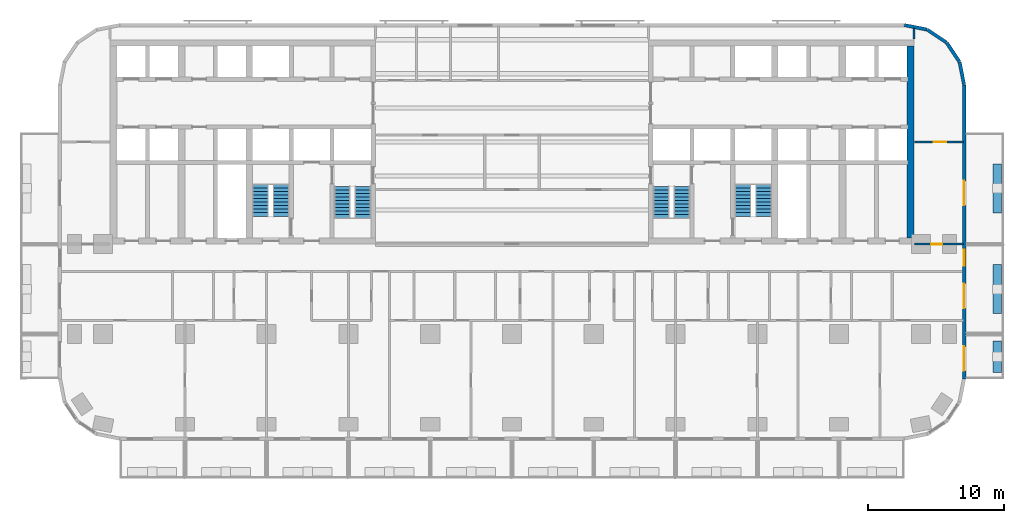
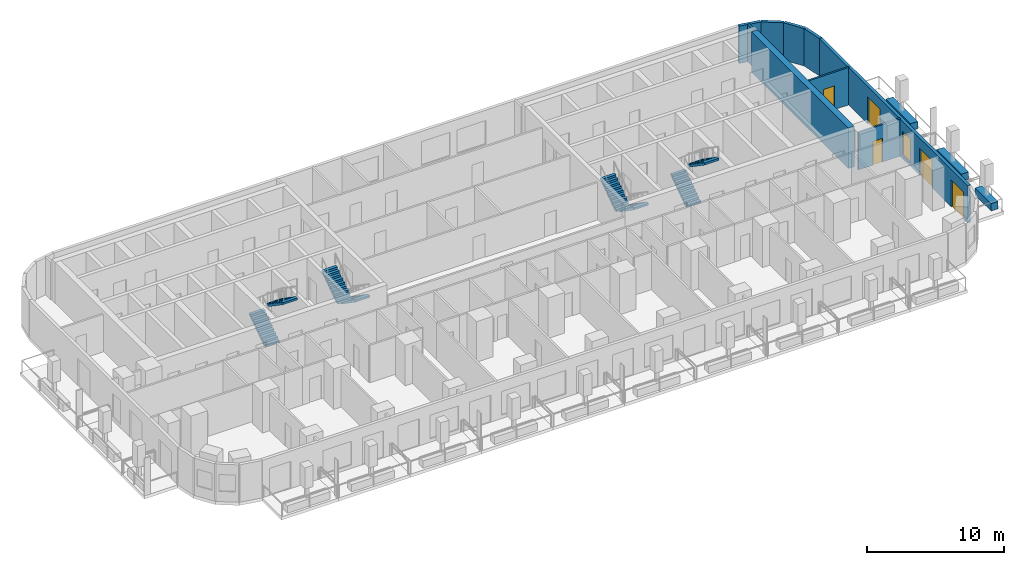
# One storey, part 9 of 14: 12 walls, 8 stair flights, 5 doors, 1 window, 6 openings, 4 elements without a shape of their own.
"""IFC4 building model written with IfcOpenShell, lengths in metres."""

import ifcopenshell
import ifcopenshell.guid

model = None  # the IFC model being written
_history = None  # IfcOwnerHistory: only IFC2X3 demands one
_inside = {}  # id of a spatial element -> (the spatial element, [elements in it])
_under = {}  # id of a project, library or spatial element -> (it, [spatial elements below it])
_declared = {}  # id of a project -> (the project, [libraries it declares])
_typed = {}  # id of a type object -> (the type object, [elements of that type])
_made_of = {}  # id of a material, layer set ... -> (it, [elements and type objects made of it])


def new_model(schema):
    """Start an empty IFC model of exactly this schema.

    Asked for "IFC4X3", IfcOpenShell would pick the latest addendum, in which some entities
    have other attributes; the version numbers below select the first issue.
    IFC2X3 requires an IfcOwnerHistory on every rooted entity: one is made here for all.
    """
    global model, _history
    if schema == "IFC4X3":
        model = ifcopenshell.file(schema_version=(4, 3, 0, 0))
    else:
        model = ifcopenshell.file(schema=schema)
    _inside.clear()
    _under.clear()
    _declared.clear()
    _typed.clear()
    _made_of.clear()
    _history = None
    if model.schema == "IFC2X3":
        org = make("IfcOrganization", Name="unknown")
        user = make(
            "IfcPersonAndOrganization",
            ThePerson=make("IfcPerson", FamilyName="unknown"),
            TheOrganization=org,
        )
        app = make(
            "IfcApplication",
            ApplicationDeveloper=org,
            Version="unknown",
            ApplicationFullName="unknown",
            ApplicationIdentifier="unknown",
        )
        _history = make(
            "IfcOwnerHistory",
            OwningUser=user,
            OwningApplication=app,
            ChangeAction="ADDED",
            CreationDate=0,
        )
    return model


def make(cls, **values):
    """One entity of the class cls with the attributes given. An attribute that is None is left unset."""
    return model.create_entity(
        cls, **{name: value for name, value in values.items() if value is not None}
    )


def rooted(cls, **values):
    """An entity with a GlobalId (a new one), such as an element, a storey or a relation."""
    return make(cls, GlobalId=ifcopenshell.guid.new(), OwnerHistory=_history, **values)


def si_unit(unit_type, name, prefix=None):
    """IfcSIUnit, for example si_unit("LENGTHUNIT", "METRE", prefix="MILLI")."""
    return make("IfcSIUnit", UnitType=unit_type, Prefix=prefix, Name=name)


def assignment(units):
    """IfcUnitAssignment: the units of a project."""
    return None if units is None else make("IfcUnitAssignment", Units=units)


def point(xyz):
    """IfcCartesianPoint."""
    return None if xyz is None else make("IfcCartesianPoint", Coordinates=xyz)


def direction(xyz):
    """IfcDirection."""
    return None if xyz is None else make("IfcDirection", DirectionRatios=xyz)


def frame(location, z_axis=None, x_axis=None):
    """IfcAxis2Placement3D, a coordinate frame: its origin and axes. An axis left out is left unset."""
    return make(
        "IfcAxis2Placement3D",
        Location=point(location),
        Axis=direction(z_axis),
        RefDirection=direction(x_axis),
    )


def frame_2d(location, x_axis=None):
    """IfcAxis2Placement2D, a coordinate frame in the plane: its origin and x axis."""
    return make(
        "IfcAxis2Placement2D", Location=point(location), RefDirection=direction(x_axis)
    )


def origin():
    """The frame at (0, 0, 0) with its axes left unset."""
    return frame((0.0, 0.0, 0.0))


def place(relative_to, where):
    """IfcLocalPlacement: puts the frame where relative to a parent placement (None: the world)."""
    return make(
        "IfcLocalPlacement", PlacementRelTo=relative_to, RelativePlacement=where
    )


def context(
    kind, dimensions, precision=None, world=None, true_north=None, identifier=None
):
    """IfcGeometricRepresentationContext, for example the 3D "Model" context."""
    return make(
        "IfcGeometricRepresentationContext",
        ContextIdentifier=identifier,
        ContextType=kind,
        CoordinateSpaceDimension=dimensions,
        Precision=precision,
        WorldCoordinateSystem=world,
        TrueNorth=true_north,
    )


def subcontext(parent, identifier, kind, view, scale=None):
    """IfcGeometricRepresentationSubContext, for example "Body" below "Model"."""
    return make(
        "IfcGeometricRepresentationSubContext",
        ContextIdentifier=identifier,
        ContextType=kind,
        ParentContext=parent,
        TargetScale=scale,
        TargetView=view,
    )


def project(units=None, contexts=None):
    """IfcProject with its units and contexts."""
    return rooted(
        "IfcProject",
        Name="project",
        RepresentationContexts=contexts,
        UnitsInContext=assignment(units),
    )


def spatial(cls, under=None, at=None, **own):
    """A site, building, storey or space (cls), placed at a placement, below another one or the project."""
    s = rooted(cls, ObjectPlacement=at, **own)
    if under is not None:
        _under.setdefault(under.id(), (under, []))[1].append(s)
    return s


def polyline(points):
    """IfcPolyline through the points."""
    return make("IfcPolyline", Points=[point(p) for p in points])


def profile(cls, at=None, kind="AREA", **sizes):
    """A parametric profile (cls). Its sizes go by their IFC names, for example OverallWidth=200.0."""
    return make(cls, ProfileType=kind, Position=at, **sizes)


def rectangle(**sizes):
    """IfcRectangleProfileDef."""
    return profile("IfcRectangleProfileDef", **sizes)


def outline(outer, holes=None, kind="AREA"):
    """IfcArbitraryClosedProfileDef: a profile drawn as a closed curve; with holes, ...WithVoids."""
    if holes is None:
        return make("IfcArbitraryClosedProfileDef", ProfileType=kind, OuterCurve=outer)
    return make(
        "IfcArbitraryProfileDefWithVoids",
        ProfileType=kind,
        OuterCurve=outer,
        InnerCurves=holes,
    )


def extrude(swept, where, along, depth):
    """IfcExtrudedAreaSolid: the profile swept, set in the frame where, extruded along a direction by depth."""
    return make(
        "IfcExtrudedAreaSolid",
        SweptArea=swept,
        Position=where,
        ExtrudedDirection=direction(along),
        Depth=depth,
    )


def shape(context_of_items, identifier, shape_type, items):
    """IfcShapeRepresentation: the items that make up one representation, for example the "Body"."""
    return make(
        "IfcShapeRepresentation",
        ContextOfItems=context_of_items,
        RepresentationIdentifier=identifier,
        RepresentationType=shape_type,
        Items=items,
    )


def material(Name=None, Category=None):
    """IfcMaterial."""
    return make("IfcMaterial", Name=Name, Category=Category)


def layer(
    of_material, thickness, ventilated=None, Name=None, Category=None, Priority=None
):
    """IfcMaterialLayer: one layer of a wall or slab, of a material (None: an air gap)."""
    return make(
        "IfcMaterialLayer",
        Material=of_material,
        LayerThickness=thickness,
        IsVentilated=ventilated,
        Name=Name,
        Category=Category,
        Priority=Priority,
    )


def layer_set(layers, Name=None):
    """IfcMaterialLayerSet."""
    return make("IfcMaterialLayerSet", MaterialLayers=layers, LayerSetName=Name)


def made_of(thing, what):
    """Note that an element or type object is made of a material, layer set ...; save() writes the relation."""
    if what is not None:
        _made_of.setdefault(what.id(), (what, []))[1].append(thing)
    return thing


def type_object(cls, material=None, **own):
    """A type object (cls), such as IfcWallType, which elements share."""
    return made_of(rooted(cls, **own), material)


def element(
    cls,
    number,
    at=None,
    inside=None,
    cuts=None,
    type_object=None,
    material=None,
    context=None,
    identifier="Body",
    shape_type=None,
    held_by="IfcProductDefinitionShape",
    body=None,
    shapes=None,
    **own,
):
    """One element of the class cls, such as IfcWall. Its Tag is "e" and its number.

    at: its placement. inside: the storey or other place that contains it. cuts: it is an
    opening in that element (IfcRelVoidsElement). A single representation is given by context,
    identifier, shape_type and body (its items); several are given by shapes. held_by: the class
    of the entity that holds the representations. save() writes the other relations.
    """
    e = rooted(cls, Tag="e%d" % number, ObjectPlacement=at, **own)
    if body is not None:
        shapes = [shape(context, identifier, shape_type, body)]
    if shapes is not None:
        e.Representation = make(held_by, Representations=shapes)
    if inside is not None:
        _inside.setdefault(inside.id(), (inside, []))[1].append(e)
    if cuts is not None:
        rooted(
            "IfcRelVoidsElement", RelatingBuildingElement=cuts, RelatedOpeningElement=e
        )
    if type_object is not None:
        _typed.setdefault(type_object.id(), (type_object, []))[1].append(e)
    return made_of(e, material)


def fill(opening, filler):
    """IfcRelFillsElement: the door or window that sits in an opening."""
    return rooted(
        "IfcRelFillsElement",
        RelatingOpeningElement=opening,
        RelatedBuildingElement=filler,
    )


def aggregate(whole, parts):
    """IfcRelAggregates: a whole, such as a stair, and the parts it consists of."""
    return rooted("IfcRelAggregates", RelatingObject=whole, RelatedObjects=parts)


def save(model, path):
    """Write the relations noted so far, then the file.

    IfcRelAggregates (storeys below a building ...), IfcRelContainedInSpatialStructure (elements
    in a storey), IfcRelDefinesByType, IfcRelAssociatesMaterial and IfcRelDeclares: one each for
    every whole, place, type object, material and project.
    """
    for whole, parts in _under.values():
        aggregate(whole, parts)
    for where, things in _inside.values():
        rooted(
            "IfcRelContainedInSpatialStructure",
            RelatedElements=things,
            RelatingStructure=where,
        )
    for kind, things in _typed.values():
        rooted("IfcRelDefinesByType", RelatedObjects=things, RelatingType=kind)
    for what, things in _made_of.values():
        rooted("IfcRelAssociatesMaterial", RelatedObjects=things, RelatingMaterial=what)
    for by, libraries in _declared.values():
        rooted("IfcRelDeclares", RelatingContext=by, RelatedDefinitions=libraries)
    model.write(path)


model = new_model("IFC4")

# Units and contexts
model_context = context("Model", 3, precision=1e-05, world=origin(), true_north=direction((0.0, 1.0)))
body_context = subcontext(model_context, "Body", "Model", "MODEL_VIEW")
ifc_project = project(units=[si_unit("LENGTHUNIT", "METRE"), si_unit("AREAUNIT", "SQUARE_METRE"), si_unit("VOLUMEUNIT", "CUBIC_METRE"), si_unit("PLANEANGLEUNIT", "RADIAN"), si_unit("MASSUNIT", "GRAM", prefix="KILO")], contexts=[model_context])

# Site, building, storey
site_placement = place(None, origin())
site = spatial("IfcSite", under=ifc_project, at=site_placement, CompositionType="ELEMENT")
building_placement = place(site_placement, origin())
building = spatial("IfcBuilding", under=site, at=building_placement, Name="Torana Hotel and Residences", CompositionType="ELEMENT")
storey_placement = place(building_placement, frame((0.0, 0.0, 96.0)))
storey = spatial("IfcBuildingStorey", under=building, at=storey_placement, Name="L24", CompositionType="ELEMENT", Elevation=96.0)

# Walls
ifc_material_1 = material(Name="Concrete C80/95", Category="concrete")
ifc_layer_1 = layer(ifc_material_1, 0.5)
ifc_layer_set_1 = layer_set([ifc_layer_1], Name="CORE WALL 500 C80/95")
wall_type_1 = type_object("IfcWallType", Name="CORE WALL 500 C80/95", PredefinedType="SHEAR", material=ifc_layer_set_1)
wall_1_placement = place(storey_placement, frame((29.25, -14.550048828125, 0.0), z_axis=(0.0, 0.0, 1.0), x_axis=(0.0, 1.0, 0.0)))
element("IfcWall", 1, at=wall_1_placement, inside=storey, type_object=wall_type_1, Name="Core wall E outer", PredefinedType="SHEAR", context=body_context, shape_type="SweptSolid", body=[
    extrude(rectangle(XDim=14.10009765625, YDim=0.5, at=frame_2d((7.050048828125, 0.0))), origin(), (0.0, 0.0, 1.0), 3.60009765625),
])
ifc_material_2 = material(Name="Black aluminium composite panel", Category="aluminium")
ifc_layer_2 = layer(ifc_material_2, 0.00390625, Name="Cladding", Category="cladding")
ifc_material_3 = material(Name="Ventilated air cavity")
ifc_layer_3 = layer(ifc_material_3, 0.0400390625, Name="Ventilated cavity", Category="cavity")
ifc_material_4 = material(Name="Mineral wool insulation")
ifc_layer_4 = layer(ifc_material_4, 0.090087890625, Name="Insulation", Category="insulation")
ifc_material_5 = material(Name="Steel S280GD", Category="steel")
ifc_layer_5 = layer(ifc_material_5, 0.092041015625, Name="Steel stud frame", Category="structure")
ifc_material_6 = material(Name="Fire rated plasterboard")
ifc_layer_6 = layer(ifc_material_6, 0.011962890625, Name="Inner board", Category="finish")
ifc_layer_7 = layer(ifc_material_6, 0.011962890625, Name="Second board", Category="finish")
ifc_layer_set_2 = layer_set([ifc_layer_2, ifc_layer_3, ifc_layer_4, ifc_layer_5, ifc_layer_6, ifc_layer_7], Name="EW1 EXTERNAL WALL BLACK METAL CLAD 250")
wall_type_2 = type_object("IfcWallType", Name="EW1 EXTERNAL WALL BLACK METAL CLAD 250", PredefinedType="SOLIDWALL", material=ifc_layer_set_2)
wall_2_placement = place(storey_placement, frame((33.172607421875, -3.30029296875, 0.0), z_axis=(0.0, 0.0, 1.0), x_axis=(-0.19513878023, 0.980775640221, 0.0)))
element("IfcWall", 2, at=wall_2_placement, inside=storey, type_object=wall_type_2, Name="External wall L24 e0.0", PredefinedType="SOLIDWALL", context=body_context, shape_type="SweptSolid", body=[
    extrude(rectangle(XDim=1.681396484375, YDim=0.25, at=frame_2d((0.8408203125, 0.0))), origin(), (0.0, 0.0, 1.0), 3.320068359375),
])
for number, where, z_axis, x_axis, name in (
    (3, (32.825927734375, -1.60595703125, 0.0), (0.0, 0.0, 1.0), (-0.55555029066, 0.831482937015, 0.0), "External wall L24 e0.1"),
    (4, (31.87109375, -0.1943359375, 0.0), (0.0, 0.0, 1.0), (-0.831482937015, 0.55555029066, 0.0), "External wall L24 e0.2"),
):
    element("IfcWall", number, at=place(storey_placement, frame(where, z_axis=z_axis, x_axis=x_axis)), inside=storey, type_object=wall_type_2, Name=name, PredefinedType="SOLIDWALL", context=body_context, shape_type="SweptSolid", body=[
        extrude(rectangle(XDim=1.65625, YDim=0.25, at=frame_2d((0.828125, 0.0))), origin(), (0.0, 0.0, 1.0), 3.320068359375),
    ])
wall_3_placement = place(storey_placement, frame((30.448974609375, 0.74462890625, 0.0), z_axis=(0.0, 0.0, 1.0), x_axis=(-0.980803419081, 0.194999110559, 0.0)))
element("IfcWall", 5, at=wall_3_placement, inside=storey, type_object=wall_type_2, Name="External wall L24 e0.3", PredefinedType="SOLIDWALL", context=body_context, shape_type="SweptSolid", body=[
    extrude(rectangle(XDim=1.681396484375, YDim=0.25, at=frame_2d((0.8408203125, 0.0))), origin(), (0.0, 0.0, 1.0), 3.320068359375),
])

# Wall, openings, doors, window
wall_4_placement = place(storey_placement, frame((33.175048828125, -24.87548828125, 0.0), z_axis=(0.0, 0.0, 1.0), x_axis=(0.0, 1.0, 0.0)))
wall_4 = element("IfcWall", 6, at=wall_4_placement, inside=storey, type_object=wall_type_2, Name="External wall L24 e0.19", PredefinedType="SOLIDWALL", context=body_context, shape_type="SweptSolid", body=[
    extrude(rectangle(XDim=21.55078125, YDim=0.25, at=frame_2d((10.775390625, 0.0))), origin(), (0.0, 0.0, 1.0), 3.320068359375),
])
opening_1_placement = place(wall_4_placement, frame((0.575439453125, 0.0, 0.0)))
opening_1 = element("IfcOpeningElement", 7, at=opening_1_placement, cuts=wall_4, Name="Opening L24-E11", PredefinedType="OPENING", context=body_context, shape_type="SweptSolid", body=[
    extrude(rectangle(XDim=1.800048828125, YDim=2.39990234375, at=frame_2d((0.89990234375, 1.199951171875))), frame((0.0, 0.135009765625, 0.0), z_axis=(0.0, -1.0, 0.0), x_axis=(1.0, 0.0, 0.0)), (0.0, 0.0, 1.0), 0.27001953125),
])
opening_2_placement = place(wall_4_placement, frame((5.17529296875, 0.0, 0.0)))
opening_2 = element("IfcOpeningElement", 8, at=opening_2_placement, cuts=wall_4, Name="Opening L24-E12", PredefinedType="OPENING", context=body_context, shape_type="SweptSolid", body=[
    extrude(rectangle(XDim=1.800048828125, YDim=2.39990234375, at=frame_2d((0.89990234375, 1.199951171875))), frame((0.0, 0.135009765625, 0.0), z_axis=(0.0, -1.0, 0.0), x_axis=(1.0, 0.0, 0.0)), (0.0, 0.0, 1.0), 0.27001953125),
])
opening_3_placement = place(wall_4_placement, frame((8.275390625, 0.0, 0.300048828125)))
opening_3 = element("IfcOpeningElement", 9, at=opening_3_placement, cuts=wall_4, Name="Opening W7", PredefinedType="OPENING", context=body_context, shape_type="SweptSolid", body=[
    extrude(rectangle(XDim=1.199951171875, YDim=2.10009765625, at=frame_2d((0.60009765625, 1.050048828125))), frame((0.0, 0.135009765625, 0.0), z_axis=(0.0, -1.0, 0.0), x_axis=(1.0, 0.0, 0.0)), (0.0, 0.0, 1.0), 0.27001953125),
])
opening_4_placement = place(wall_4_placement, frame((12.725341796875, 0.0, 0.0)))
opening_4 = element("IfcOpeningElement", 10, at=opening_4_placement, cuts=wall_4, Name="Opening L24-E13", PredefinedType="OPENING", context=body_context, shape_type="SweptSolid", body=[
    extrude(rectangle(XDim=1.800048828125, YDim=2.39990234375, at=frame_2d((0.89990234375, 1.199951171875))), frame((0.0, 0.135009765625, 0.0), z_axis=(0.0, -1.0, 0.0), x_axis=(1.0, 0.0, 0.0)), (0.0, 0.0, 1.0), 0.27001953125),
])
ifc_material_7 = material(Name="Dark glass in black aluminium frame", Category="aluminium")
door_type_1 = type_object("IfcDoorType", Name="DB1 BALCONY DOOR 1800x2400", OperationType="DOUBLE_DOOR_SINGLE_SWING", PredefinedType="DOOR", material=ifc_material_7)
door_1_placement = place(opening_1_placement, origin())
door_1 = element("IfcDoor", 11, at=door_1_placement, inside=storey, type_object=door_type_1, Name="Balcony door L24", OperationType="DOUBLE_DOOR_SINGLE_SWING", OverallHeight=2.39990234375, OverallWidth=1.800048828125, PredefinedType="DOOR", context=body_context, shape_type="SweptSolid", body=[
    extrude(rectangle(XDim=1.800048828125, YDim=2.39990234375, at=frame_2d((0.89990234375, 1.199951171875))), frame((0.0, 0.02490234375, 0.0), z_axis=(0.0, -1.0, 0.0), x_axis=(1.0, 0.0, 0.0)), (0.0, 0.0, 1.0), 0.050048828125),
])
fill(opening_1, door_1)
door_2_placement = place(opening_2_placement, origin())
door_2 = element("IfcDoor", 12, at=door_2_placement, inside=storey, type_object=door_type_1, Name="Balcony door L24", OperationType="DOUBLE_DOOR_SINGLE_SWING", OverallHeight=2.39990234375, OverallWidth=1.800048828125, PredefinedType="DOOR", context=body_context, shape_type="SweptSolid", body=[
    extrude(rectangle(XDim=1.800048828125, YDim=2.39990234375, at=frame_2d((0.89990234375, 1.199951171875))), frame((0.0, 0.02490234375, 0.0), z_axis=(0.0, -1.0, 0.0), x_axis=(1.0, 0.0, 0.0)), (0.0, 0.0, 1.0), 0.050048828125),
])
fill(opening_2, door_2)
door_3_placement = place(opening_4_placement, origin())
door_3 = element("IfcDoor", 13, at=door_3_placement, inside=storey, type_object=door_type_1, Name="Balcony door L24", OperationType="DOUBLE_DOOR_SINGLE_SWING", OverallHeight=2.39990234375, OverallWidth=1.800048828125, PredefinedType="DOOR", context=body_context, shape_type="SweptSolid", body=[
    extrude(rectangle(XDim=1.800048828125, YDim=2.39990234375, at=frame_2d((0.89990234375, 1.199951171875))), frame((0.0, 0.02490234375, 0.0), z_axis=(0.0, -1.0, 0.0), x_axis=(1.0, 0.0, 0.0)), (0.0, 0.0, 1.0), 0.050048828125),
])
fill(opening_4, door_3)
ifc_material_8 = material(Name="Dark glass in black aluminium frame", Category="aluminium")
window_type = type_object("IfcWindowType", Name="W7 HOTEL CORRIDOR WINDOW 1200x2100", PartitioningType="SINGLE_PANEL", PredefinedType="WINDOW", material=ifc_material_8)
window_placement = place(opening_3_placement, origin())
window = element("IfcWindow", 14, at=window_placement, inside=storey, type_object=window_type, Name="Window L24", OverallHeight=2.10009765625, OverallWidth=1.199951171875, PartitioningType="SINGLE_PANEL", PredefinedType="WINDOW", context=body_context, shape_type="SweptSolid", body=[
    extrude(rectangle(XDim=1.199951171875, YDim=2.10009765625, at=frame_2d((0.60009765625, 1.050048828125))), frame((0.0, 0.030029296875, 0.0), z_axis=(0.0, -1.0, 0.0), x_axis=(1.0, 0.0, 0.0)), (0.0, 0.0, 1.0), 0.06005859375),
])
fill(opening_3, window)

# Wall, opening, door
ifc_material_9 = material(Name="Gypsum plaster")
ifc_layer_8 = layer(ifc_material_9, 0.014892578125, Name="Plaster", Category="finish")
ifc_material_10 = material(Name="Concrete blockwork", Category="masonry")
ifc_layer_9 = layer(ifc_material_10, 0.1201171875, Name="Blockwork", Category="structure")
ifc_layer_10 = layer(ifc_material_9, 0.014892578125, Name="Plaster", Category="finish")
ifc_layer_set_3 = layer_set([ifc_layer_8, ifc_layer_9, ifc_layer_10], Name="FIRE PARTITION 150 BLOCKWORK")
wall_type_3 = type_object("IfcWallType", Name="FIRE PARTITION 150 BLOCKWORK", PredefinedType="PARTITIONING", material=ifc_layer_set_3)
wall_5_placement = place(storey_placement, frame((29.550048828125, -15.0, 0.0), z_axis=(0.0, 0.0, 1.0), x_axis=(1.0, 0.0, 0.0)))
wall_5 = element("IfcWall", 15, at=wall_5_placement, inside=storey, type_object=wall_type_3, Name="Partition L24", PredefinedType="PARTITIONING", context=body_context, shape_type="SweptSolid", body=[
    extrude(rectangle(XDim=3.570068359375, YDim=0.14990234375, at=frame_2d((1.78515625, 0.0))), origin(), (0.0, 0.0, 1.0), 3.320068359375),
])
opening_5_placement = place(wall_5_placement, frame((1.205078125, 0.0, 0.0)))
opening_5 = element("IfcOpeningElement", 16, at=opening_5_placement, cuts=wall_5, Name="Opening L24-43", PredefinedType="OPENING", context=body_context, shape_type="SweptSolid", body=[
    extrude(rectangle(XDim=0.800048828125, YDim=2.10009765625, at=frame_2d((0.39990234375, 1.050048828125))), frame((0.0, 0.0849609375, 0.0), z_axis=(0.0, -1.0, 0.0), x_axis=(1.0, 0.0, 0.0)), (0.0, 0.0, 1.0), 0.169921875),
])
ifc_material_11 = material(Name="Steel S235", Category="steel")
door_type_2 = type_object("IfcDoorType", Name="STORE FIRE DOOR D16 800x2100", OperationType="SINGLE_SWING_LEFT", PredefinedType="DOOR", material=ifc_material_11)
door_4_placement = place(opening_5_placement, origin())
door_4 = element("IfcDoor", 17, at=door_4_placement, inside=storey, type_object=door_type_2, Name="Door L24", OperationType="SINGLE_SWING_RIGHT", OverallHeight=2.10009765625, OverallWidth=0.800048828125, PredefinedType="DOOR", context=body_context, shape_type="SweptSolid", body=[
    extrude(rectangle(XDim=0.800048828125, YDim=2.10009765625, at=frame_2d((0.39990234375, 1.050048828125))), frame((0.0, 0.02490234375, 0.0), z_axis=(0.0, -1.0, 0.0), x_axis=(1.0, 0.0, 0.0)), (0.0, 0.0, 1.0), 0.050048828125),
])
fill(opening_5, door_4)

# Wall
ifc_material_12 = material(Name="Gypsum plasterboard")
ifc_layer_11 = layer(ifc_material_12, 0.012451171875, Name="Plasterboard", Category="finish")
ifc_layer_12 = layer(ifc_material_12, 0.012451171875, Name="Plasterboard", Category="finish")
ifc_layer_13 = layer(ifc_material_5, 0.10009765625, Name="Steel studs with mineral wool", Category="insulation")
ifc_layer_14 = layer(ifc_material_12, 0.012451171875, Name="Plasterboard", Category="finish")
ifc_layer_15 = layer(ifc_material_12, 0.012451171875, Name="Plasterboard", Category="finish")
ifc_layer_set_4 = layer_set([ifc_layer_11, ifc_layer_12, ifc_layer_13, ifc_layer_14, ifc_layer_15], Name="PARTITION 150 PLASTERBOARD")
wall_type_4 = type_object("IfcWallType", Name="PARTITION 150 PLASTERBOARD", PredefinedType="PARTITIONING", material=ifc_layer_set_4)
wall_6_placement = place(storey_placement, frame((29.5, 0.050048828125, 0.0), z_axis=(0.0, 0.0, 1.0), x_axis=(0.0, 1.0, 0.0)))
element("IfcWall", 18, at=wall_6_placement, inside=storey, type_object=wall_type_4, Name="Partition L24", PredefinedType="PARTITIONING", context=body_context, shape_type="SweptSolid", body=[
    extrude(rectangle(XDim=0.8271484375, YDim=0.14990234375, at=frame_2d((0.41357421875, 0.0))), origin(), (0.0, 0.0, 1.0), 3.320068359375),
])

# Wall, opening, door
wall_7_placement = place(storey_placement, frame((29.550048828125, -7.5, 0.0), z_axis=(0.0, 0.0, 1.0), x_axis=(1.0, 0.0, 0.0)))
wall_7 = element("IfcWall", 19, at=wall_7_placement, inside=storey, type_object=wall_type_4, Name="Partition L24", PredefinedType="PARTITIONING", context=body_context, shape_type="SweptSolid", body=[
    extrude(rectangle(XDim=3.570068359375, YDim=0.14990234375, at=frame_2d((1.78515625, 0.0))), origin(), (0.0, 0.0, 1.0), 3.320068359375),
])
opening_6_placement = place(wall_7_placement, frame((1.39990234375, 0.0, 0.0)))
opening_6 = element("IfcOpeningElement", 20, at=opening_6_placement, cuts=wall_7, Name="Opening L24-79", PredefinedType="OPENING", context=body_context, shape_type="SweptSolid", body=[
    extrude(rectangle(XDim=0.89990234375, YDim=2.10009765625, at=frame_2d((0.449951171875, 1.050048828125))), frame((0.0, 0.0849609375, 0.0), z_axis=(0.0, -1.0, 0.0), x_axis=(1.0, 0.0, 0.0)), (0.0, 0.0, 1.0), 0.169921875),
])
ifc_material_13 = material(Name="Timber door, oiled ash", Category="wood")
door_type_3 = type_object("IfcDoorType", Name="ROOM DOOR D7 900x2100", OperationType="SINGLE_SWING_LEFT", PredefinedType="DOOR", material=ifc_material_13)
door_5_placement = place(opening_6_placement, origin())
door_5 = element("IfcDoor", 21, at=door_5_placement, inside=storey, type_object=door_type_3, Name="Door L24", OperationType="SINGLE_SWING_LEFT", OverallHeight=2.10009765625, OverallWidth=0.89990234375, PredefinedType="DOOR", context=body_context, shape_type="SweptSolid", body=[
    extrude(rectangle(XDim=0.89990234375, YDim=2.10009765625, at=frame_2d((0.449951171875, 1.050048828125))), frame((0.0, 0.02490234375, 0.0), z_axis=(0.0, -1.0, 0.0), x_axis=(1.0, 0.0, 0.0)), (0.0, 0.0, 1.0), 0.050048828125),
])
fill(opening_6, door_5)

# Walls
ifc_material_14 = material(Name="Concrete C40/50 precast", Category="concrete")
ifc_layer_16 = layer(ifc_material_14, 0.10009765625, Name="Planter shell", Category="structure")
ifc_material_15 = material(Name="Root resistant membrane")
ifc_layer_17 = layer(ifc_material_15, 0.00390625, Name="Waterproofing membrane", Category="membrane")
ifc_material_16 = material(Name="Drainage board with filter fleece")
ifc_layer_18 = layer(ifc_material_16, 0.02001953125, Name="Drainage board", Category="drainage")
ifc_material_17 = material(Name="Growing medium")
ifc_layer_19 = layer(ifc_material_17, 0.47607421875, Name="Planting substrate", Category="soil")
ifc_layer_set_5 = layer_set([ifc_layer_16, ifc_layer_17, ifc_layer_18, ifc_layer_19], Name="PL1 BALCONY PLANTER 600")
wall_type_5 = type_object("IfcWallType", Name="PL1 BALCONY PLANTER 600", PredefinedType="USERDEFINED", material=ifc_layer_set_5)
wall_8_placement = place(storey_placement, frame((35.60009765625, -22.10009765625, 0.0), z_axis=(0.0, 0.0, 1.0), x_axis=(0.0, -1.0, 0.0)))
element("IfcWall", 22, at=wall_8_placement, inside=storey, type_object=wall_type_5, Name="Planter 14", ObjectType="PLANTER", PredefinedType="USERDEFINED", context=body_context, shape_type="SweptSolid", body=[
    extrude(rectangle(XDim=2.2998046875, YDim=0.60009765625, at=frame_2d((1.14990234375, 0.0))), origin(), (0.0, 0.0, 1.0), 0.64990234375),
])
wall_9_placement = place(storey_placement, frame((35.60009765625, -16.5, 0.0), z_axis=(0.0, 0.0, 1.0), x_axis=(0.0, -1.0, 0.0)))
element("IfcWall", 23, at=wall_9_placement, inside=storey, type_object=wall_type_5, Name="Planter 15", ObjectType="PLANTER", PredefinedType="USERDEFINED", context=body_context, shape_type="SweptSolid", body=[
    extrude(rectangle(XDim=3.60009765625, YDim=0.60009765625, at=frame_2d((1.800048828125, 0.0))), origin(), (0.0, 0.0, 1.0), 0.64990234375),
])
wall_10_placement = place(storey_placement, frame((35.60009765625, -9.10009765625, 0.0), z_axis=(0.0, 0.0, 1.0), x_axis=(0.0, -1.0, 0.0)))
element("IfcWall", 24, at=wall_10_placement, inside=storey, type_object=wall_type_5, Name="Planter 16", ObjectType="PLANTER", PredefinedType="USERDEFINED", context=body_context, shape_type="SweptSolid", body=[
    extrude(rectangle(XDim=3.599853515625, YDim=0.60009765625, at=frame_2d((1.7998046875, 0.0))), origin(), (0.0, 0.0, 1.0), 0.64990234375),
])

# Stair, stair flights
ifc_material_18 = material(Name="Concrete C40/50 precast", Category="concrete")
stair_type_1 = type_object("IfcStairType", Name="STAIR ST1 HALF TURN 1200", PredefinedType="HALF_TURN_STAIR", material=ifc_material_18)
stair_1_placement = place(storey_placement, origin())
stair_1 = element("IfcStair", 25, at=stair_1_placement, inside=storey, type_object=stair_type_1, Name="Stair ST1 L24", PredefinedType="HALF_TURN_STAIR")
ifc_material_19 = material(Name="Concrete C40/50 precast", Category="concrete")
stair_flight_type = type_object("IfcStairFlightType", Name="STAIR FLIGHT 1200 PRECAST", PredefinedType="STRAIGHT", material=ifc_material_19)
stair_flight_1_placement = place(storey_placement, frame((-10.949951171875, -10.75, 0.0), z_axis=(0.0, 0.0, 1.0), x_axis=(0.0, -1.0, 0.0)))
stair_flight_1 = element("IfcStairFlight", 26, at=stair_flight_1_placement, type_object=stair_flight_type, Name="ST1 flight 1", NumberOfRisers=10, NumberOfTreads=9, PredefinedType="STRAIGHT", RiserHeight=0.18, TreadLength=0.26, context=body_context, shape_type="SweptSolid", body=[
    extrude(outline(polyline([(0.0, 0.0), (0.0, 0.179931640625), (0.260009765625, 0.179931640625), (0.260009765625, 0.360107421875), (0.52001953125, 0.360107421875), (0.52001953125, 0.5400390625), (0.780029296875, 0.5400390625), (0.780029296875, 0.719970703125), (1.0400390625, 0.719970703125), (1.0400390625, 0.89990234375), (1.300048828125, 0.89990234375), (1.300048828125, 1.080078125), (1.56005859375, 1.080078125), (1.56005859375, 1.260009765625), (1.820068359375, 1.260009765625), (1.820068359375, 1.43994140625), (2.080078125, 1.43994140625), (2.080078125, 1.6201171875), (2.340087890625, 1.6201171875), (2.340087890625, 1.800048828125), (2.340087890625, 1.437744140625), (0.263427734375, 0.0), (0.0, 0.0)])), frame((0.0, 0.60009765625, 0.0), z_axis=(0.0, -1.0, 0.0), x_axis=(1.0, 0.0, 0.0)), (0.0, 0.0, 1.0), 1.199951171875),
])
stair_flight_2_placement = place(storey_placement, frame((-12.449951171875, -13.090087890625, 1.800048828125), z_axis=(0.0, 0.0, 1.0), x_axis=(0.0, 1.0, 0.0)))
stair_flight_2 = element("IfcStairFlight", 27, at=stair_flight_2_placement, type_object=stair_flight_type, Name="ST1 flight 2", NumberOfRisers=10, NumberOfTreads=9, PredefinedType="STRAIGHT", RiserHeight=0.18, TreadLength=0.26, context=body_context, shape_type="SweptSolid", body=[
    extrude(outline(polyline([(0.0, 0.0), (0.0, 0.179931640625), (0.260009765625, 0.179931640625), (0.260009765625, 0.360107421875), (0.52001953125, 0.360107421875), (0.52001953125, 0.5400390625), (0.780029296875, 0.5400390625), (0.780029296875, 0.719970703125), (1.0400390625, 0.719970703125), (1.0400390625, 0.89990234375), (1.300048828125, 0.89990234375), (1.300048828125, 1.080078125), (1.56005859375, 1.080078125), (1.56005859375, 1.260009765625), (1.820068359375, 1.260009765625), (1.820068359375, 1.43994140625), (2.080078125, 1.43994140625), (2.080078125, 1.6201171875), (2.340087890625, 1.6201171875), (2.340087890625, 1.800048828125), (2.340087890625, 1.437744140625), (0.263427734375, 0.0), (0.0, 0.0)])), frame((0.0, 0.60009765625, 0.0), z_axis=(0.0, -1.0, 0.0), x_axis=(1.0, 0.0, 0.0)), (0.0, 0.0, 1.0), 1.199951171875),
])
aggregate(stair_1, [stair_flight_1, stair_flight_2])

ifc_material_20 = material(Name="Concrete C40/50 precast", Category="concrete")
stair_type_2 = type_object("IfcStairType", Name="STAIR ST2 HALF TURN 1200", PredefinedType="HALF_TURN_STAIR", material=ifc_material_20)
stair_2_placement = place(storey_placement, origin())
stair_2 = element("IfcStair", 28, at=stair_2_placement, inside=storey, type_object=stair_type_2, Name="Stair ST2 L24", PredefinedType="HALF_TURN_STAIR")
stair_flight_3_placement = place(storey_placement, frame((-18.449951171875, -12.949951171875, 0.0), z_axis=(0.0, 0.0, 1.0), x_axis=(0.0, 1.0, 0.0)))
stair_flight_3 = element("IfcStairFlight", 29, at=stair_flight_3_placement, type_object=stair_flight_type, Name="ST2 flight 1", NumberOfRisers=10, NumberOfTreads=9, PredefinedType="STRAIGHT", RiserHeight=0.18, TreadLength=0.26, context=body_context, shape_type="SweptSolid", body=[
    extrude(outline(polyline([(0.0, 0.0), (0.0, 0.179931640625), (0.260009765625, 0.179931640625), (0.260009765625, 0.360107421875), (0.52001953125, 0.360107421875), (0.52001953125, 0.5400390625), (0.780029296875, 0.5400390625), (0.780029296875, 0.719970703125), (1.0400390625, 0.719970703125), (1.0400390625, 0.89990234375), (1.300048828125, 0.89990234375), (1.300048828125, 1.080078125), (1.56005859375, 1.080078125), (1.56005859375, 1.260009765625), (1.820068359375, 1.260009765625), (1.820068359375, 1.43994140625), (2.080078125, 1.43994140625), (2.080078125, 1.6201171875), (2.340087890625, 1.6201171875), (2.340087890625, 1.800048828125), (2.340087890625, 1.437744140625), (0.263427734375, 0.0), (0.0, 0.0)])), frame((0.0, 0.60009765625, 0.0), z_axis=(0.0, -1.0, 0.0), x_axis=(1.0, 0.0, 0.0)), (0.0, 0.0, 1.0), 1.199951171875),
])
stair_flight_4_placement = place(storey_placement, frame((-16.949951171875, -10.610107421875, 1.800048828125), z_axis=(0.0, 0.0, 1.0), x_axis=(0.0, -1.0, 0.0)))
stair_flight_4 = element("IfcStairFlight", 30, at=stair_flight_4_placement, type_object=stair_flight_type, Name="ST2 flight 2", NumberOfRisers=10, NumberOfTreads=9, PredefinedType="STRAIGHT", RiserHeight=0.18, TreadLength=0.26, context=body_context, shape_type="SweptSolid", body=[
    extrude(outline(polyline([(0.0, 0.0), (0.0, 0.179931640625), (0.260009765625, 0.179931640625), (0.260009765625, 0.360107421875), (0.52001953125, 0.360107421875), (0.52001953125, 0.5400390625), (0.780029296875, 0.5400390625), (0.780029296875, 0.719970703125), (1.0400390625, 0.719970703125), (1.0400390625, 0.89990234375), (1.300048828125, 0.89990234375), (1.300048828125, 1.080078125), (1.56005859375, 1.080078125), (1.56005859375, 1.260009765625), (1.820068359375, 1.260009765625), (1.820068359375, 1.43994140625), (2.080078125, 1.43994140625), (2.080078125, 1.6201171875), (2.340087890625, 1.6201171875), (2.340087890625, 1.800048828125), (2.340087890625, 1.437744140625), (0.263427734375, 0.0), (0.0, 0.0)])), frame((0.0, 0.60009765625, 0.0), z_axis=(0.0, -1.0, 0.0), x_axis=(1.0, 0.0, 0.0)), (0.0, 0.0, 1.0), 1.199951171875),
])
aggregate(stair_2, [stair_flight_3, stair_flight_4])

ifc_material_21 = material(Name="Concrete C40/50 precast", Category="concrete")
stair_type_3 = type_object("IfcStairType", Name="STAIR ST3 HALF TURN 1200", PredefinedType="HALF_TURN_STAIR", material=ifc_material_21)
stair_3_placement = place(storey_placement, origin())
stair_3 = element("IfcStair", 31, at=stair_3_placement, inside=storey, type_object=stair_type_3, Name="Stair ST3 L24", PredefinedType="HALF_TURN_STAIR")
stair_flight_5_placement = place(storey_placement, frame((12.449951171875, -10.75, 0.0), z_axis=(0.0, 0.0, 1.0), x_axis=(0.0, -1.0, 0.0)))
stair_flight_5 = element("IfcStairFlight", 32, at=stair_flight_5_placement, type_object=stair_flight_type, Name="ST3 flight 1", NumberOfRisers=10, NumberOfTreads=9, PredefinedType="STRAIGHT", RiserHeight=0.18, TreadLength=0.26, context=body_context, shape_type="SweptSolid", body=[
    extrude(outline(polyline([(0.0, 0.0), (0.0, 0.179931640625), (0.260009765625, 0.179931640625), (0.260009765625, 0.360107421875), (0.52001953125, 0.360107421875), (0.52001953125, 0.5400390625), (0.780029296875, 0.5400390625), (0.780029296875, 0.719970703125), (1.0400390625, 0.719970703125), (1.0400390625, 0.89990234375), (1.300048828125, 0.89990234375), (1.300048828125, 1.080078125), (1.56005859375, 1.080078125), (1.56005859375, 1.260009765625), (1.820068359375, 1.260009765625), (1.820068359375, 1.43994140625), (2.080078125, 1.43994140625), (2.080078125, 1.6201171875), (2.340087890625, 1.6201171875), (2.340087890625, 1.800048828125), (2.340087890625, 1.437744140625), (0.263427734375, 0.0), (0.0, 0.0)])), frame((0.0, 0.60009765625, 0.0), z_axis=(0.0, -1.0, 0.0), x_axis=(1.0, 0.0, 0.0)), (0.0, 0.0, 1.0), 1.199951171875),
])
stair_flight_6_placement = place(storey_placement, frame((10.949951171875, -13.090087890625, 1.800048828125), z_axis=(0.0, 0.0, 1.0), x_axis=(0.0, 1.0, 0.0)))
stair_flight_6 = element("IfcStairFlight", 33, at=stair_flight_6_placement, type_object=stair_flight_type, Name="ST3 flight 2", NumberOfRisers=10, NumberOfTreads=9, PredefinedType="STRAIGHT", RiserHeight=0.18, TreadLength=0.26, context=body_context, shape_type="SweptSolid", body=[
    extrude(outline(polyline([(0.0, 0.0), (0.0, 0.179931640625), (0.260009765625, 0.179931640625), (0.260009765625, 0.360107421875), (0.52001953125, 0.360107421875), (0.52001953125, 0.5400390625), (0.780029296875, 0.5400390625), (0.780029296875, 0.719970703125), (1.0400390625, 0.719970703125), (1.0400390625, 0.89990234375), (1.300048828125, 0.89990234375), (1.300048828125, 1.080078125), (1.56005859375, 1.080078125), (1.56005859375, 1.260009765625), (1.820068359375, 1.260009765625), (1.820068359375, 1.43994140625), (2.080078125, 1.43994140625), (2.080078125, 1.6201171875), (2.340087890625, 1.6201171875), (2.340087890625, 1.800048828125), (2.340087890625, 1.437744140625), (0.263427734375, 0.0), (0.0, 0.0)])), frame((0.0, 0.60009765625, 0.0), z_axis=(0.0, -1.0, 0.0), x_axis=(1.0, 0.0, 0.0)), (0.0, 0.0, 1.0), 1.199951171875),
])
aggregate(stair_3, [stair_flight_5, stair_flight_6])

ifc_material_22 = material(Name="Concrete C40/50 precast", Category="concrete")
stair_type_4 = type_object("IfcStairType", Name="STAIR ST4 HALF TURN 1200", PredefinedType="HALF_TURN_STAIR", material=ifc_material_22)
stair_4_placement = place(storey_placement, origin())
stair_4 = element("IfcStair", 34, at=stair_4_placement, inside=storey, type_object=stair_type_4, Name="Stair ST4 L24", PredefinedType="HALF_TURN_STAIR")
stair_flight_7_placement = place(storey_placement, frame((16.949951171875, -12.949951171875, 0.0), z_axis=(0.0, 0.0, 1.0), x_axis=(0.0, 1.0, 0.0)))
stair_flight_7 = element("IfcStairFlight", 35, at=stair_flight_7_placement, type_object=stair_flight_type, Name="ST4 flight 1", NumberOfRisers=10, NumberOfTreads=9, PredefinedType="STRAIGHT", RiserHeight=0.18, TreadLength=0.26, context=body_context, shape_type="SweptSolid", body=[
    extrude(outline(polyline([(0.0, 0.0), (0.0, 0.179931640625), (0.260009765625, 0.179931640625), (0.260009765625, 0.360107421875), (0.52001953125, 0.360107421875), (0.52001953125, 0.5400390625), (0.780029296875, 0.5400390625), (0.780029296875, 0.719970703125), (1.0400390625, 0.719970703125), (1.0400390625, 0.89990234375), (1.300048828125, 0.89990234375), (1.300048828125, 1.080078125), (1.56005859375, 1.080078125), (1.56005859375, 1.260009765625), (1.820068359375, 1.260009765625), (1.820068359375, 1.43994140625), (2.080078125, 1.43994140625), (2.080078125, 1.6201171875), (2.340087890625, 1.6201171875), (2.340087890625, 1.800048828125), (2.340087890625, 1.437744140625), (0.263427734375, 0.0), (0.0, 0.0)])), frame((0.0, 0.60009765625, 0.0), z_axis=(0.0, -1.0, 0.0), x_axis=(1.0, 0.0, 0.0)), (0.0, 0.0, 1.0), 1.199951171875),
])
stair_flight_8_placement = place(storey_placement, frame((18.449951171875, -10.610107421875, 1.800048828125), z_axis=(0.0, 0.0, 1.0), x_axis=(0.0, -1.0, 0.0)))
stair_flight_8 = element("IfcStairFlight", 36, at=stair_flight_8_placement, type_object=stair_flight_type, Name="ST4 flight 2", NumberOfRisers=10, NumberOfTreads=9, PredefinedType="STRAIGHT", RiserHeight=0.18, TreadLength=0.26, context=body_context, shape_type="SweptSolid", body=[
    extrude(outline(polyline([(0.0, 0.0), (0.0, 0.179931640625), (0.260009765625, 0.179931640625), (0.260009765625, 0.360107421875), (0.52001953125, 0.360107421875), (0.52001953125, 0.5400390625), (0.780029296875, 0.5400390625), (0.780029296875, 0.719970703125), (1.0400390625, 0.719970703125), (1.0400390625, 0.89990234375), (1.300048828125, 0.89990234375), (1.300048828125, 1.080078125), (1.56005859375, 1.080078125), (1.56005859375, 1.260009765625), (1.820068359375, 1.260009765625), (1.820068359375, 1.43994140625), (2.080078125, 1.43994140625), (2.080078125, 1.6201171875), (2.340087890625, 1.6201171875), (2.340087890625, 1.800048828125), (2.340087890625, 1.437744140625), (0.263427734375, 0.0), (0.0, 0.0)])), frame((0.0, 0.60009765625, 0.0), z_axis=(0.0, -1.0, 0.0), x_axis=(1.0, 0.0, 0.0)), (0.0, 0.0, 1.0), 1.199951171875),
])
aggregate(stair_4, [stair_flight_7, stair_flight_8])

save(model, "model.ifc")
